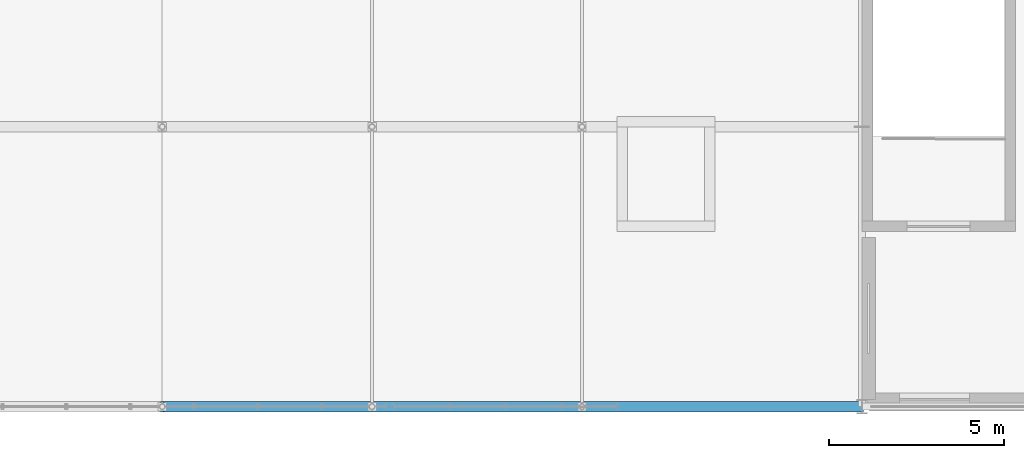
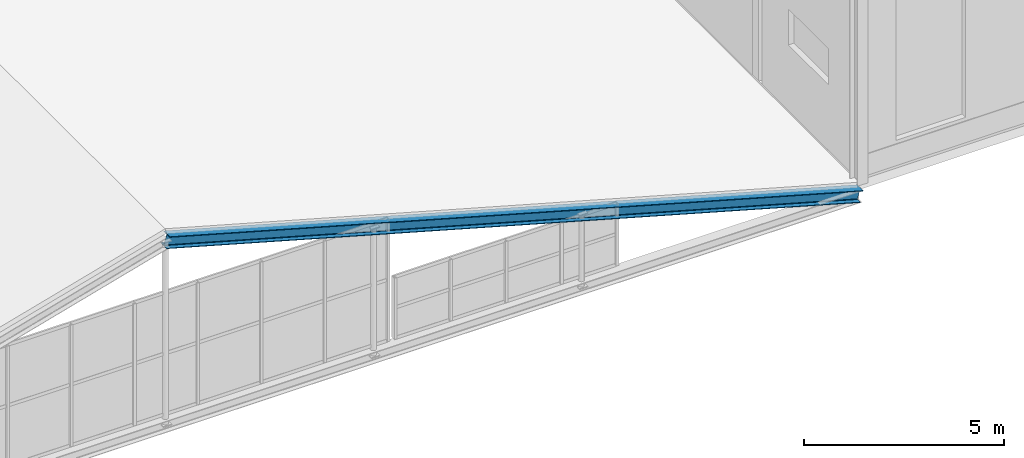
# One storey, part 10 of 49: 1 member.
"""IFC4 building model written with IfcOpenShell, lengths in metres."""

from ifc_helpers import new_model, si_unit, direction, frame, origin, origin_2d, place, context, subcontext, project, spatial, i_section, extrude, material, material_profile, profile_set, type_object, element, save


model = new_model("IFC4")

# Units and contexts
model_context = context("Model", 3, precision=1e-05, world=origin(), true_north=direction((0.0, 1.0)))
body_context = subcontext(model_context, "Body", "Model", "MODEL_VIEW")
ifc_project = project(units=[si_unit("LENGTHUNIT", "METRE"), si_unit("AREAUNIT", "SQUARE_METRE"), si_unit("VOLUMEUNIT", "CUBIC_METRE"), si_unit("PLANEANGLEUNIT", "RADIAN"), si_unit("MASSUNIT", "GRAM", prefix="KILO")], contexts=[model_context])

# Site, building, storey
site_placement = place(None, origin())
site = spatial("IfcSite", under=ifc_project, at=site_placement, CompositionType="ELEMENT")
building_placement = place(site_placement, origin())
building = spatial("IfcBuilding", under=site, at=building_placement, Name="Sundkrona Museum", CompositionType="ELEMENT")
storey_placement = place(building_placement, frame((0.0, 0.0, 26.0)))
storey = spatial("IfcBuildingStorey", under=building, at=storey_placement, Name="L05", CompositionType="ELEMENT", Elevation=26.0)

# Member
ifc_material = material(Name="Steel S355J2", Category="steel")
ifc_material_profile = material_profile(ifc_material, i_section(OverallWidth=0.300048828125, OverallDepth=0.35009765625, WebThickness=0.010009765625, FlangeThickness=0.017578125, FilletRadius=0.027099609375, at=origin_2d()), Name="HEA 360")
ifc_profile_set = profile_set([ifc_material_profile], Name="Steel S355J2")
member_type = type_object("IfcMemberType", Name="TC-HEA360", PredefinedType="CHORD", material=ifc_profile_set)
member_placement = place(storey_placement, frame((100.0, 0.0, 5.194091796875), z_axis=(0.963039069801, 0.0, -0.269361745683), x_axis=(0.0, 1.0, 0.0)))
element("IfcMember", 1, at=member_placement, inside=storey, type_object=member_type, Name="RFS-1 Atrium Truss 1 East Rafter Chord", PredefinedType="CHORD", context=body_context, shape_type="SweptSolid", body=[
    extrude(i_section(OverallWidth=0.300048828125, OverallDepth=0.35009765625, WebThickness=0.010009765625, FlangeThickness=0.017578125, FilletRadius=0.027099609375, at=origin_2d()), origin(), (0.0, 0.0, 1.0), 20.767578125),
])

save(model, "model.ifc")
